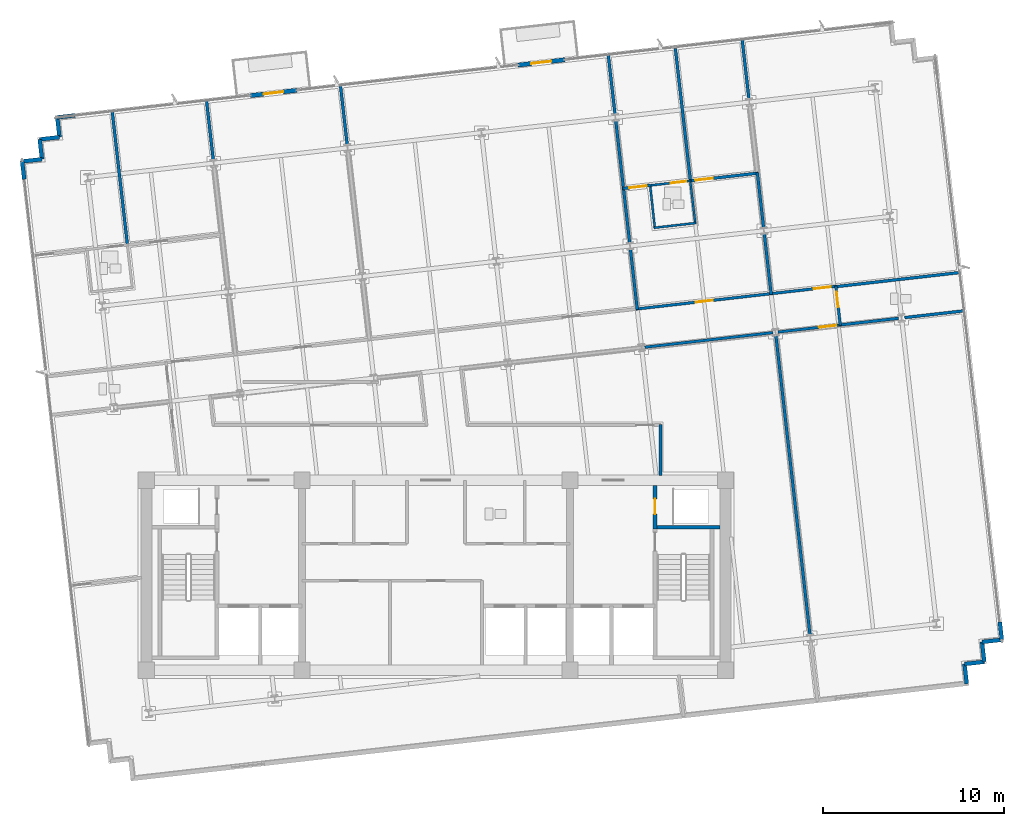
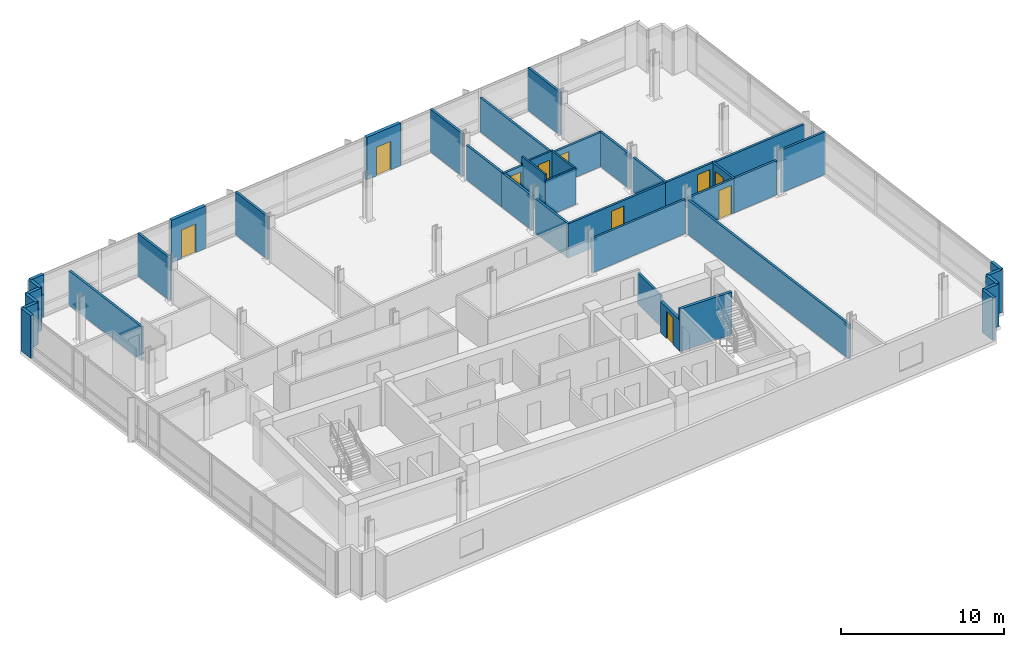
# One storey, part 10 of 15: 42 walls, 10 doors, 10 openings.
"""IFC4 building model written with IfcOpenShell, lengths in metres."""

from ifc_helpers import new_model, si_unit, direction, frame, frame_2d, origin, place, context, subcontext, project, spatial, rectangle, extrude, material, layer, layer_set, type_object, element, fill, save


model = new_model("IFC4")

# Units and contexts
model_context = context("Model", 3, precision=1e-05, world=origin(), true_north=direction((0.0, 1.0)))
body_context = subcontext(model_context, "Body", "Model", "MODEL_VIEW")
ifc_project = project(units=[si_unit("LENGTHUNIT", "METRE"), si_unit("AREAUNIT", "SQUARE_METRE"), si_unit("VOLUMEUNIT", "CUBIC_METRE"), si_unit("PLANEANGLEUNIT", "RADIAN"), si_unit("MASSUNIT", "GRAM", prefix="KILO")], contexts=[model_context])

# Site, building, storey
site_placement = place(None, origin())
site = spatial("IfcSite", under=ifc_project, at=site_placement, CompositionType="ELEMENT")
building_placement = place(site_placement, origin())
building = spatial("IfcBuilding", under=site, at=building_placement, Name="Solmavex Isthmus Hotel", CompositionType="ELEMENT")
storey_placement = place(building_placement, frame((0.0, 0.0, 226.199951171875)))
storey = spatial("IfcBuildingStorey", under=building, at=storey_placement, Name="L61", CompositionType="ELEMENT", Elevation=226.199951171875)

# Wall, opening, door
ifc_material_1 = material(Name="Precast Concrete C40/50", Category="concrete")
ifc_layer_1 = layer(ifc_material_1, 0.25)
ifc_layer_set_1 = layer_set([ifc_layer_1], Name="Precast Concrete C40/50")
wall_type_1 = type_object("IfcWallType", Name="EW-TWR-250", PredefinedType="STANDARD", material=ifc_layer_set_1)
wall_1_placement = place(storey_placement, frame((-10.26953125, 18.750244140625, 0.0), z_axis=(0.0, 0.0, 1.0), x_axis=(0.993567130319, 0.113244680008, 0.0)))
wall_1 = element("IfcWall", 1, at=wall_1_placement, inside=storey, type_object=wall_type_1, Name="Exterior Balcony Door Wall L61-2", PredefinedType="STANDARD", context=body_context, shape_type="SweptSolid", body=[
    extrude(rectangle(XDim=2.60009765625, YDim=0.239990234375, at=frame_2d((1.300048828125, 0.0))), origin(), (0.0, 0.0, 1.0), 3.18994140625),
])
opening_1_placement = place(wall_1_placement, frame((0.75, 0.0, 0.0)))
opening_1 = element("IfcOpeningElement", 2, at=opening_1_placement, cuts=wall_1, Name="Opening ED-02", PredefinedType="OPENING", context=body_context, shape_type="SweptSolid", body=[
    extrude(rectangle(XDim=1.10009765625, YDim=2.14990234375, at=frame_2d((0.550048828125, 1.074951171875))), frame((0.0, 0.1298828125, 0.0), z_axis=(0.0, -1.0, 0.0), x_axis=(1.0, 0.0, 0.0)), (0.0, 0.0, 1.0), 0.260009765625),
])
ifc_material_2 = material(Name="Aluminium alloy 6063-T6", Category="aluminium")
door_type_1 = type_object("IfcDoorType", Name="EDR-BALC-1100", OperationType="NOTDEFINED", PredefinedType="DOOR", material=ifc_material_2)
door_1_placement = place(opening_1_placement, origin())
door_1 = element("IfcDoor", 3, at=door_1_placement, inside=storey, type_object=door_type_1, Name="Balcony & Terrace Glazed Door L61-2", OperationType="SINGLE_SWING_RIGHT", OverallHeight=2.14990234375, OverallWidth=1.10009765625, PredefinedType="DOOR", context=body_context, shape_type="SweptSolid", body=[
    extrude(rectangle(XDim=1.10009765625, YDim=2.14990234375, at=frame_2d((0.550048828125, 1.074951171875))), frame((0.0, 0.02490234375, 0.0), z_axis=(0.0, -1.0, 0.0), x_axis=(1.0, 0.0, 0.0)), (0.0, 0.0, 1.0), 0.050048828125),
])
fill(opening_1, door_1)

wall_2_placement = place(storey_placement, frame((4.52685546875, 20.43603515625, 0.0), z_axis=(0.0, 0.0, 1.0), x_axis=(0.993567130319, 0.113244680008, 0.0)))
wall_2 = element("IfcWall", 4, at=wall_2_placement, inside=storey, type_object=wall_type_1, Name="Exterior Balcony Door Wall L61-3", PredefinedType="STANDARD", context=body_context, shape_type="SweptSolid", body=[
    extrude(rectangle(XDim=2.60009765625, YDim=0.239990234375, at=frame_2d((1.300048828125, 0.0))), origin(), (0.0, 0.0, 1.0), 3.18994140625),
])
opening_2_placement = place(wall_2_placement, frame((0.75, 0.0, 0.0)))
opening_2 = element("IfcOpeningElement", 5, at=opening_2_placement, cuts=wall_2, Name="Opening ED-02", PredefinedType="OPENING", context=body_context, shape_type="SweptSolid", body=[
    extrude(rectangle(XDim=1.10009765625, YDim=2.14990234375, at=frame_2d((0.550048828125, 1.074951171875))), frame((0.0, 0.1298828125, 0.0), z_axis=(0.0, -1.0, 0.0), x_axis=(1.0, 0.0, 0.0)), (0.0, 0.0, 1.0), 0.260009765625),
])
door_2_placement = place(opening_2_placement, origin())
door_2 = element("IfcDoor", 6, at=door_2_placement, inside=storey, type_object=door_type_1, Name="Balcony & Terrace Glazed Door L61-3", OperationType="SINGLE_SWING_LEFT", OverallHeight=2.14990234375, OverallWidth=1.10009765625, PredefinedType="DOOR", context=body_context, shape_type="SweptSolid", body=[
    extrude(rectangle(XDim=1.10009765625, YDim=2.14990234375, at=frame_2d((0.550048828125, 1.074951171875))), frame((0.0, 0.02490234375, 0.0), z_axis=(0.0, -1.0, 0.0), x_axis=(1.0, 0.0, 0.0)), (0.0, 0.0, 1.0), 0.050048828125),
])
fill(opening_2, door_2)

# Walls
wall_3_placement = place(storey_placement, frame((-22.74755859375, 14.128173828125, 0.0), z_axis=(0.0, 0.0, 1.0), x_axis=(-0.113191877531, 0.993573147212, 0.0)))
element("IfcWall", 7, at=wall_3_placement, inside=storey, type_object=wall_type_1, Name="Serrated Corner Facade Panel L61-07", PredefinedType="STANDARD", context=body_context, shape_type="SweptSolid", body=[
    extrude(rectangle(XDim=0.989990234375, YDim=0.219970703125, at=frame_2d((0.4951171875, 0.0))), origin(), (0.0, 0.0, 1.0), 3.18994140625),
])
wall_4_placement = place(storey_placement, frame((-22.859619140625, 15.11181640625, 0.0), z_axis=(0.0, 0.0, 1.0), x_axis=(0.99357409499, 0.113183557839, 0.0)))
element("IfcWall", 8, at=wall_4_placement, inside=storey, type_object=wall_type_1, Name="Serrated Corner Facade Panel L61-08", PredefinedType="STANDARD", context=body_context, shape_type="SweptSolid", body=[
    extrude(rectangle(XDim=1.10009765625, YDim=0.219970703125, at=frame_2d((0.550048828125, 0.0))), origin(), (0.0, 0.0, 1.0), 3.18994140625),
])
wall_5_placement = place(storey_placement, frame((-21.7666015625, 15.236328125, 0.0), z_axis=(0.0, 0.0, 1.0), x_axis=(-0.11320852056, 0.99357125103, 0.0)))
element("IfcWall", 9, at=wall_5_placement, inside=storey, type_object=wall_type_1, Name="Serrated Corner Facade Panel L61-09", PredefinedType="STANDARD", context=body_context, shape_type="SweptSolid", body=[
    extrude(rectangle(XDim=1.099853515625, YDim=0.219970703125, at=frame_2d((0.5498046875, 0.0))), origin(), (0.0, 0.0, 1.0), 3.18994140625),
])
for number, where, z_axis, x_axis, name in (
    (10, (-21.89111328125, 16.3291015625, 0.0), (0.0, 0.0, 1.0), (0.99357409499, 0.113183557839, 0.0), "Serrated Corner Facade Panel L61-10"),
    (11, (-20.798095703125, 16.45361328125, 0.0), (0.0, 0.0, 1.0), (-0.113402635104, 0.993549114212, 0.0), "Serrated Corner Facade Panel L61-11"),
):
    element("IfcWall", number, at=place(storey_placement, frame(where, z_axis=z_axis, x_axis=x_axis)), inside=storey, type_object=wall_type_1, Name=name, PredefinedType="STANDARD", context=body_context, shape_type="SweptSolid", body=[
        extrude(rectangle(XDim=1.10009765625, YDim=0.219970703125, at=frame_2d((0.550048828125, 0.0))), origin(), (0.0, 0.0, 1.0), 3.18994140625),
    ])
for number, where, z_axis, x_axis, name in (
    (12, (-20.9228515625, 17.546630859375, 0.0), (0.0, 0.0, 1.0), (0.993573147212, 0.113191877531, 0.0), "Serrated Corner Facade Panel L61-12"),
    (13, (31.1474609375, -10.328125, 0.0), (0.0, 0.0, 1.0), (0.113191877531, -0.993573147212, 0.0), "Serrated Corner Facade Panel L61-21"),
):
    element("IfcWall", number, at=place(storey_placement, frame(where, z_axis=z_axis, x_axis=x_axis)), inside=storey, type_object=wall_type_1, Name=name, PredefinedType="STANDARD", context=body_context, shape_type="SweptSolid", body=[
        extrude(rectangle(XDim=0.989990234375, YDim=0.219970703125, at=frame_2d((0.4951171875, 0.0))), origin(), (0.0, 0.0, 1.0), 3.18994140625),
    ])
wall_6_placement = place(storey_placement, frame((31.259521484375, -11.311767578125, 0.0), z_axis=(0.0, 0.0, 1.0), x_axis=(-0.99357409499, -0.113183557839, 0.0)))
element("IfcWall", 14, at=wall_6_placement, inside=storey, type_object=wall_type_1, Name="Serrated Corner Facade Panel L61-22", PredefinedType="STANDARD", context=body_context, shape_type="SweptSolid", body=[
    extrude(rectangle(XDim=1.10009765625, YDim=0.219970703125, at=frame_2d((0.550048828125, 0.0))), origin(), (0.0, 0.0, 1.0), 3.18994140625),
])
wall_7_placement = place(storey_placement, frame((30.16650390625, -11.436279296875, 0.0), z_axis=(0.0, 0.0, 1.0), x_axis=(0.113427644885, -0.993546259303, 0.0)))
element("IfcWall", 15, at=wall_7_placement, inside=storey, type_object=wall_type_1, Name="Serrated Corner Facade Panel L61-23", PredefinedType="STANDARD", context=body_context, shape_type="SweptSolid", body=[
    extrude(rectangle(XDim=1.099853515625, YDim=0.219970703125, at=frame_2d((0.5498046875, 0.0))), origin(), (0.0, 0.0, 1.0), 3.18994140625),
])
for number, where, z_axis, x_axis, name in (
    (16, (30.291259765625, -12.529052734375, 0.0), (0.0, 0.0, 1.0), (-0.99357409499, -0.113183557839, 0.0), "Serrated Corner Facade Panel L61-24"),
    (17, (29.1982421875, -12.653564453125, 0.0), (0.0, 0.0, 1.0), (0.113183557839, -0.99357409499, 0.0), "Serrated Corner Facade Panel L61-25"),
):
    element("IfcWall", number, at=place(storey_placement, frame(where, z_axis=z_axis, x_axis=x_axis)), inside=storey, type_object=wall_type_1, Name=name, PredefinedType="STANDARD", context=body_context, shape_type="SweptSolid", body=[
        extrude(rectangle(XDim=1.10009765625, YDim=0.219970703125, at=frame_2d((0.550048828125, 0.0))), origin(), (0.0, 0.0, 1.0), 3.18994140625),
    ])
ifc_material_3 = material(Name="Gypsum plasterboard lining", Category="gypsum")
ifc_layer_2 = layer(ifc_material_3, 0.159912109375)
ifc_layer_set_2 = layer_set([ifc_layer_2], Name="Gypsum plasterboard lining")
wall_type_2 = type_object("IfcWallType", Name="IW-COMP-160", PredefinedType="PARTITIONING", material=ifc_layer_set_2)
wall_8_placement = place(storey_placement, frame((-17.891845703125, 17.922119140625, 0.0), z_axis=(0.0, 0.0, 1.0), x_axis=(0.113231271668, -0.993568658481, 0.0)))
element("IfcWall", 18, at=wall_8_placement, inside=storey, type_object=wall_type_2, Name="Interior Partition Wall W-L61-P030", PredefinedType="PARTITIONING", context=body_context, shape_type="SweptSolid", body=[
    extrude(rectangle(XDim=7.511962890625, YDim=0.159912109375, at=frame_2d((3.755859375, 0.0))), origin(), (0.0, 0.0, 1.0), 2.5576171875),
])
wall_9_placement = place(storey_placement, frame((-12.681396484375, 18.515869140625, 0.0), z_axis=(0.0, 0.0, 1.0), x_axis=(0.113171804991, -0.993575433752, 0.0)))
element("IfcWall", 19, at=wall_9_placement, inside=storey, type_object=wall_type_2, Name="Interior Partition Wall W-L61-P032", PredefinedType="PARTITIONING", context=body_context, shape_type="SweptSolid", body=[
    extrude(rectangle(XDim=3.34375, YDim=0.159912109375, at=frame_2d((1.671875, 0.0))), origin(), (0.0, 0.0, 1.0), 3.18994140625),
])
wall_10_placement = place(storey_placement, frame((-5.283447265625, 19.358642578125, 0.0), z_axis=(0.0, 0.0, 1.0), x_axis=(0.113252098743, -0.993566284719, 0.0)))
element("IfcWall", 20, at=wall_10_placement, inside=storey, type_object=wall_type_2, Name="Interior Partition Wall W-L61-P034", PredefinedType="PARTITIONING", context=body_context, shape_type="SweptSolid", body=[
    extrude(rectangle(XDim=3.343505859375, YDim=0.159912109375, at=frame_2d((1.671875, 0.0))), origin(), (0.0, 0.0, 1.0), 3.18994140625),
])
wall_11_placement = place(storey_placement, frame((10.349609375, 13.701904296875, 0.0), z_axis=(0.0, 0.0, 1.0), x_axis=(0.11320956091, -0.993571132491, 0.0)))
element("IfcWall", 21, at=wall_11_placement, inside=storey, type_object=wall_type_2, Name="Interior Partition Wall W-L61-P037", PredefinedType="PARTITIONING", context=body_context, shape_type="SweptSolid", body=[
    extrude(rectangle(XDim=3.10546875, YDim=0.159912109375, at=frame_2d((1.552734375, 0.0))), origin(), (0.0, 0.0, 1.0), 2.572265625),
])
wall_12_placement = place(storey_placement, frame((10.740966796875, 10.265869140625, 0.0), z_axis=(0.0, 0.0, 1.0), x_axis=(0.113220917918, -0.993569838384, 0.0)))
element("IfcWall", 22, at=wall_12_placement, inside=storey, type_object=wall_type_2, Name="Interior Partition Wall W-L61-P038", PredefinedType="PARTITIONING", context=body_context, shape_type="SweptSolid", body=[
    extrude(rectangle(XDim=3.36181640625, YDim=0.159912109375, at=frame_2d((1.680908203125, 0.0))), origin(), (0.0, 0.0, 1.0), 2.572265625),
])
wall_13_placement = place(storey_placement, frame((9.512939453125, 21.04443359375, 0.0), z_axis=(0.0, 0.0, 1.0), x_axis=(0.113180015629, -0.993574498496, 0.0)))
element("IfcWall", 23, at=wall_13_placement, inside=storey, type_object=wall_type_2, Name="Interior Partition Wall W-L61-P039", PredefinedType="PARTITIONING", context=body_context, shape_type="SweptSolid", body=[
    extrude(rectangle(XDim=3.343505859375, YDim=0.159912109375, at=frame_2d((1.671875, 0.0))), origin(), (0.0, 0.0, 1.0), 3.18994140625),
])
wall_14_placement = place(storey_placement, frame((9.931396484375, 17.371826171875, 0.0), z_axis=(0.0, 0.0, 1.0), x_axis=(0.11322351182, -0.993569542796, 0.0)))
element("IfcWall", 24, at=wall_14_placement, inside=storey, type_object=wall_type_2, Name="Interior Partition Wall W-L61-P040", PredefinedType="PARTITIONING", context=body_context, shape_type="SweptSolid", body=[
    extrude(rectangle(XDim=3.857666015625, YDim=0.159912109375, at=frame_2d((1.9287109375, 0.0))), origin(), (0.0, 0.0, 1.0), 2.572265625),
])

# Wall, opening, door
wall_15_placement = place(storey_placement, frame((10.319091796875, 13.615966796875, 0.0), z_axis=(0.0, 0.0, 1.0), x_axis=(0.993567364513, 0.113242625259, 0.0)))
wall_15 = element("IfcWall", 25, at=wall_15_placement, inside=storey, type_object=wall_type_2, Name="Interior Partition Wall W-L61-P041", PredefinedType="PARTITIONING", context=body_context, shape_type="SweptSolid", body=[
    extrude(rectangle(XDim=1.56298828125, YDim=0.159912109375, at=frame_2d((0.781494140625, 0.0))), origin(), (0.0, 0.0, 1.0), 2.572265625),
])
opening_3_placement = place(wall_15_placement, frame((0.368896484375, 0.0, 0.0)))
opening_3 = element("IfcOpeningElement", 26, at=opening_3_placement, cuts=wall_15, Name="Opening ID-C095", PredefinedType="OPENING", context=body_context, shape_type="SweptSolid", body=[
    extrude(rectangle(XDim=0.949951171875, YDim=2.14990234375, at=frame_2d((0.47509765625, 1.074951171875))), frame((0.0, 0.08984375, 0.0), z_axis=(0.0, -1.0, 0.0), x_axis=(1.0, 0.0, 0.0)), (0.0, 0.0, 1.0), 0.179931640625),
])
ifc_material_4 = material(Name="Hardwood timber", Category="wood")
door_type_2 = type_object("IfcDoorType", Name="IDR-FD60-0950", OperationType="NOTDEFINED", PredefinedType="DOOR", material=ifc_material_4)
door_3_placement = place(opening_3_placement, origin())
door_3 = element("IfcDoor", 27, at=door_3_placement, inside=storey, type_object=door_type_2, Name="Diplomatic Hospitality Suite Bedroom Door L61-08", OperationType="SINGLE_SWING_RIGHT", OverallHeight=2.14990234375, OverallWidth=0.949951171875, PredefinedType="DOOR", context=body_context, shape_type="SweptSolid", body=[
    extrude(rectangle(XDim=0.949951171875, YDim=2.14990234375, at=frame_2d((0.47509765625, 1.074951171875))), frame((0.0, 0.02490234375, 0.0), z_axis=(0.0, -1.0, 0.0), x_axis=(1.0, 0.0, 0.0)), (0.0, 0.0, 1.0), 0.050048828125),
])
fill(opening_3, door_3)

wall_16_placement = place(storey_placement, frame((14.00830078125, 14.036376953125, 0.0), z_axis=(0.0, 0.0, 1.0), x_axis=(0.993571415155, 0.113207080105, 0.0)))
wall_16 = element("IfcWall", 28, at=wall_16_placement, inside=storey, type_object=wall_type_2, Name="Interior Partition Wall W-L61-P042", PredefinedType="PARTITIONING", context=body_context, shape_type="SweptSolid", body=[
    extrude(rectangle(XDim=3.812744140625, YDim=0.159912109375, at=frame_2d((1.90625, 0.0))), origin(), (0.0, 0.0, 1.0), 2.572265625),
])
opening_4_placement = place(wall_16_placement, frame((0.333984375, 0.0, 0.0)))
opening_4 = element("IfcOpeningElement", 29, at=opening_4_placement, cuts=wall_16, Name="Opening ID-C095", PredefinedType="OPENING", context=body_context, shape_type="SweptSolid", body=[
    extrude(rectangle(XDim=0.949951171875, YDim=2.14990234375, at=frame_2d((0.47509765625, 1.074951171875))), frame((0.0, 0.08984375, 0.0), z_axis=(0.0, -1.0, 0.0), x_axis=(1.0, 0.0, 0.0)), (0.0, 0.0, 1.0), 0.179931640625),
])
door_4_placement = place(opening_4_placement, origin())
door_4 = element("IfcDoor", 30, at=door_4_placement, inside=storey, type_object=door_type_2, Name="Diplomatic Hospitality Suite Sitting Lounge Door L61-09", OperationType="SINGLE_SWING_LEFT", OverallHeight=2.14990234375, OverallWidth=0.949951171875, PredefinedType="DOOR", context=body_context, shape_type="SweptSolid", body=[
    extrude(rectangle(XDim=0.949951171875, YDim=2.14990234375, at=frame_2d((0.47509765625, 1.074951171875))), frame((0.0, 0.02490234375, 0.0), z_axis=(0.0, -1.0, 0.0), x_axis=(1.0, 0.0, 0.0)), (0.0, 0.0, 1.0), 0.050048828125),
])
fill(opening_4, door_4)

# Walls
wall_17_placement = place(storey_placement, frame((17.75244140625, 14.503173828125, 0.0), z_axis=(0.0, 0.0, 1.0), x_axis=(0.113160011497, -0.993576777002, 0.0)))
element("IfcWall", 31, at=wall_17_placement, inside=storey, type_object=wall_type_2, Name="Interior Partition Wall W-L61-P046", PredefinedType="PARTITIONING", context=body_context, shape_type="SweptSolid", body=[
    extrude(rectangle(XDim=3.063720703125, YDim=0.159912109375, at=frame_2d((1.53173828125, 0.0))), origin(), (0.0, 0.0, 1.0), 2.572265625),
])
wall_18_placement = place(storey_placement, frame((18.13916015625, 11.108642578125, 0.0), z_axis=(0.0, 0.0, 1.0), x_axis=(0.113229088195, -0.993568907317, 0.0)))
element("IfcWall", 32, at=wall_18_placement, inside=storey, type_object=wall_type_2, Name="Interior Partition Wall W-L61-P047", PredefinedType="PARTITIONING", context=body_context, shape_type="SweptSolid", body=[
    extrude(rectangle(XDim=3.361572265625, YDim=0.159912109375, at=frame_2d((1.6806640625, 0.0))), origin(), (0.0, 0.0, 1.0), 2.572265625),
])
wall_19_placement = place(storey_placement, frame((13.2255859375, 21.3466796875, 0.0), z_axis=(0.0, 0.0, 1.0), x_axis=(0.113218703946, -0.993570090671, 0.0)))
element("IfcWall", 33, at=wall_19_placement, inside=storey, type_object=wall_type_2, Name="Interior Partition Wall W-L61-P048", PredefinedType="PARTITIONING", context=body_context, shape_type="SweptSolid", body=[
    extrude(rectangle(XDim=7.39208984375, YDim=0.159912109375, at=frame_2d((3.696044921875, 0.0))), origin(), (0.0, 0.0, 1.0), 2.5576171875),
])
wall_20_placement = place(storey_placement, frame((16.9111328125, 21.887451171875, 0.0), z_axis=(0.0, 0.0, 1.0), x_axis=(0.113171804991, -0.993575433752, 0.0)))
element("IfcWall", 34, at=wall_20_placement, inside=storey, type_object=wall_type_2, Name="Interior Partition Wall W-L61-P050", PredefinedType="PARTITIONING", context=body_context, shape_type="SweptSolid", body=[
    extrude(rectangle(XDim=3.34375, YDim=0.159912109375, at=frame_2d((1.671875, 0.0))), origin(), (0.0, 0.0, 1.0), 3.18994140625),
])
wall_21_placement = place(storey_placement, frame((28.977783203125, 8.98046875, 0.0), z_axis=(0.0, 0.0, 1.0), x_axis=(-0.993571800428, -0.113203698681, 0.0)))
element("IfcWall", 35, at=wall_21_placement, inside=storey, type_object=wall_type_2, Name="Interior Partition Wall W-L61-P052", PredefinedType="PARTITIONING", context=body_context, shape_type="SweptSolid", body=[
    extrude(rectangle(XDim=6.968017578125, YDim=0.159912109375, at=frame_2d((3.48388671875, 0.0))), origin(), (0.0, 0.0, 1.0), 2.5576171875),
])
wall_22_placement = place(storey_placement, frame((25.546142578125, 6.44580078125, 0.0), z_axis=(0.0, 0.0, 1.0), x_axis=(-0.993568592225, -0.113231853041, 0.0)))
element("IfcWall", 36, at=wall_22_placement, inside=storey, type_object=wall_type_2, Name="Interior Partition Wall W-L61-P055", PredefinedType="PARTITIONING", context=body_context, shape_type="SweptSolid", body=[
    extrude(rectangle(XDim=3.281494140625, YDim=0.159912109375, at=frame_2d((1.640625, 0.0))), origin(), (0.0, 0.0, 1.0), 2.572265625),
])
wall_23_placement = place(storey_placement, frame((29.21875, 6.864013671875, 0.0), z_axis=(0.0, 0.0, 1.0), x_axis=(-0.993574498496, -0.113180015629, 0.0)))
element("IfcWall", 37, at=wall_23_placement, inside=storey, type_object=wall_type_2, Name="Interior Partition Wall W-L61-P056", PredefinedType="PARTITIONING", context=body_context, shape_type="SweptSolid", body=[
    extrude(rectangle(XDim=3.343505859375, YDim=0.159912109375, at=frame_2d((1.671875, 0.0))), origin(), (0.0, 0.0, 1.0), 3.18994140625),
])
wall_24_placement = place(storey_placement, frame((18.778564453125, 5.4970703125, 0.0), z_axis=(0.0, 0.0, 1.0), x_axis=(0.113202873157, -0.993571894484, 0.0)))
element("IfcWall", 38, at=wall_24_placement, inside=storey, type_object=wall_type_2, Name="Interior Partition Wall W-L61-P059", PredefinedType="PARTITIONING", context=body_context, shape_type="SweptSolid", body=[
    extrude(rectangle(XDim=16.647216796875, YDim=0.159912109375, at=frame_2d((8.32373046875, 0.0))), origin(), (0.0, 0.0, 1.0), 2.572265625),
])

# Wall, opening, door
ifc_layer_3 = layer(ifc_material_3, 0.14990234375)
ifc_layer_set_3 = layer_set([ifc_layer_3], Name="Gypsum plasterboard lining")
wall_type_3 = type_object("IfcWallType", Name="IW-CORR-150", PredefinedType="PARTITIONING", material=ifc_layer_set_3)
wall_25_placement = place(storey_placement, frame((11.03564453125, 6.956298828125, 0.0), z_axis=(0.0, 0.0, 1.0), x_axis=(0.993570360949, 0.113216332056, 0.0)))
wall_25 = element("IfcWall", 39, at=wall_25_placement, inside=storey, type_object=wall_type_3, Name="Interior Partition Wall W-L61-P004", PredefinedType="PARTITIONING", context=body_context, shape_type="SweptSolid", body=[
    extrude(rectangle(XDim=7.60986328125, YDim=0.14990234375, at=frame_2d((3.804931640625, 0.0))), origin(), (0.0, 0.0, 1.0), 2.572265625),
])
opening_5_placement = place(wall_25_placement, frame((3.330078125, 0.0, 0.0)))
opening_5 = element("IfcOpeningElement", 40, at=opening_5_placement, cuts=wall_25, Name="Opening ID-C095", PredefinedType="OPENING", context=body_context, shape_type="SweptSolid", body=[
    extrude(rectangle(XDim=0.949951171875, YDim=2.14990234375, at=frame_2d((0.47509765625, 1.074951171875))), frame((0.0, 0.0849609375, 0.0), z_axis=(0.0, -1.0, 0.0), x_axis=(1.0, 0.0, 0.0)), (0.0, 0.0, 1.0), 0.169921875),
])
door_5_placement = place(opening_5_placement, origin())
door_5 = element("IfcDoor", 41, at=door_5_placement, inside=storey, type_object=door_type_2, Name="Diplomatic Hospitality Suite Reception Foyer Door L61-07", OperationType="SINGLE_SWING_LEFT", OverallHeight=2.14990234375, OverallWidth=0.949951171875, PredefinedType="DOOR", context=body_context, shape_type="SweptSolid", body=[
    extrude(rectangle(XDim=0.949951171875, YDim=2.14990234375, at=frame_2d((0.47509765625, 1.074951171875))), frame((0.0, 0.02490234375, 0.0), z_axis=(0.0, -1.0, 0.0), x_axis=(1.0, 0.0, 0.0)), (0.0, 0.0, 1.0), 0.050048828125),
])
fill(opening_5, door_5)

wall_26_placement = place(storey_placement, frame((18.43359375, 7.79931640625, 0.0), z_axis=(0.0, 0.0, 1.0), x_axis=(0.993578468541, 0.11314515832, 0.0)))
wall_26 = element("IfcWall", 42, at=wall_26_placement, inside=storey, type_object=wall_type_3, Name="Interior Partition Wall W-L61-P005", PredefinedType="PARTITIONING", context=body_context, shape_type="SweptSolid", body=[
    extrude(rectangle(XDim=3.72216796875, YDim=0.14990234375, at=frame_2d((1.861083984375, 0.0))), origin(), (0.0, 0.0, 1.0), 2.572265625),
])
opening_6_placement = place(wall_26_placement, frame((2.456787109375, 0.0, 0.0)))
opening_6 = element("IfcOpeningElement", 43, at=opening_6_placement, cuts=wall_26, Name="Opening ID-C095", PredefinedType="OPENING", context=body_context, shape_type="SweptSolid", body=[
    extrude(rectangle(XDim=0.949951171875, YDim=2.14990234375, at=frame_2d((0.47509765625, 1.074951171875))), frame((0.0, 0.0849609375, 0.0), z_axis=(0.0, -1.0, 0.0), x_axis=(1.0, 0.0, 0.0)), (0.0, 0.0, 1.0), 0.169921875),
])
door_6_placement = place(opening_6_placement, origin())
door_6 = element("IfcDoor", 44, at=door_6_placement, inside=storey, type_object=door_type_2, Name="Executive Hospitality Lounge Door L61-11", OperationType="SINGLE_SWING_LEFT", OverallHeight=2.14990234375, OverallWidth=0.949951171875, PredefinedType="DOOR", context=body_context, shape_type="SweptSolid", body=[
    extrude(rectangle(XDim=0.949951171875, YDim=2.14990234375, at=frame_2d((0.47509765625, 1.074951171875))), frame((0.0, 0.02490234375, 0.0), z_axis=(0.0, -1.0, 0.0), x_axis=(1.0, 0.0, 0.0)), (0.0, 0.0, 1.0), 0.050048828125),
])
fill(opening_6, door_6)

wall_27_placement = place(storey_placement, frame((22.08984375, 8.23583984375, 0.0), z_axis=(0.0, 0.0, 1.0), x_axis=(0.113122854389, -0.993581008179, 0.0)))
wall_27 = element("IfcWall", 45, at=wall_27_placement, inside=storey, type_object=wall_type_3, Name="Interior Partition Wall W-L61-P007", PredefinedType="PARTITIONING", context=body_context, shape_type="SweptSolid", body=[
    extrude(rectangle(XDim=2.2099609375, YDim=0.14990234375, at=frame_2d((1.10498046875, 0.0))), origin(), (0.0, 0.0, 1.0), 2.572265625),
])
opening_7_placement = place(wall_27_placement, frame((0.322265625, 0.0, 0.0)))
opening_7 = element("IfcOpeningElement", 46, at=opening_7_placement, cuts=wall_27, Name="Opening ID-R085", PredefinedType="OPENING", context=body_context, shape_type="SweptSolid", body=[
    extrude(rectangle(XDim=0.85009765625, YDim=2.050048828125, at=frame_2d((0.425048828125, 1.02490234375))), frame((0.0, 0.0849609375, 0.0), z_axis=(0.0, -1.0, 0.0), x_axis=(1.0, 0.0, 0.0)), (0.0, 0.0, 1.0), 0.169921875),
])
ifc_material_5 = material(Name="Steel ASTM A500 Grade C", Category="steel")
door_type_3 = type_object("IfcDoorType", Name="IDR-FD60-0850", OperationType="NOTDEFINED", PredefinedType="DOOR", material=ifc_material_5)
door_7_placement = place(opening_7_placement, frame((0.85009765625, 0.0, 0.0), z_axis=(0.0, 0.0, 1.0), x_axis=(-1.0, 0.0, 0.0)))
door_7 = element("IfcDoor", 47, at=door_7_placement, inside=storey, type_object=door_type_3, Name="Public Restroom WC Door L61-13", OperationType="SINGLE_SWING_LEFT", OverallHeight=2.050048828125, OverallWidth=0.85009765625, PredefinedType="DOOR", context=body_context, shape_type="SweptSolid", body=[
    extrude(rectangle(XDim=0.85009765625, YDim=2.050048828125, at=frame_2d((0.425048828125, 1.02490234375))), frame((0.0, 0.02490234375, 0.0), z_axis=(0.0, -1.0, 0.0), x_axis=(1.0, 0.0, 0.0)), (0.0, 0.0, 1.0), 0.050048828125),
])
fill(opening_7, door_7)

# Walls
wall_28_placement = place(storey_placement, frame((12.39990234375, 0.590087890625, 0.0), z_axis=(0.0, 0.0, 1.0), x_axis=(0.0, -1.0, 0.0)))
element("IfcWall", 48, at=wall_28_placement, inside=storey, type_object=wall_type_3, Name="Interior Partition Wall W-L61-P018", PredefinedType="PARTITIONING", context=body_context, shape_type="SweptSolid", body=[
    extrude(rectangle(XDim=2.830078125, YDim=0.14990234375, at=frame_2d((1.4150390625, 0.0))), origin(), (0.0, 0.0, 1.0), 2.324951171875),
])
wall_29_placement = place(storey_placement, frame((18.625, 5.6572265625, 0.0), z_axis=(0.0, 0.0, 1.0), x_axis=(-0.993569785772, -0.11322137961, 0.0)))
element("IfcWall", 49, at=wall_29_placement, inside=storey, type_object=wall_type_3, Name="Interior Partition Wall W-L61-P020", PredefinedType="PARTITIONING", context=body_context, shape_type="SweptSolid", body=[
    extrude(rectangle(XDim=7.13525390625, YDim=0.14990234375, at=frame_2d((3.567626953125, 0.0))), origin(), (0.0, 0.0, 1.0), 2.572265625),
])

# Wall, opening, door
wall_30_placement = place(storey_placement, frame((22.375244140625, 6.08447265625, 0.0), z_axis=(0.0, 0.0, 1.0), x_axis=(-0.993568982909, -0.113228424882, 0.0)))
wall_30 = element("IfcWall", 50, at=wall_30_placement, inside=storey, type_object=wall_type_3, Name="Interior Partition Wall W-L61-P021", PredefinedType="PARTITIONING", context=body_context, shape_type="SweptSolid", body=[
    extrude(rectangle(XDim=3.505859375, YDim=0.14990234375, at=frame_2d((1.7529296875, 0.0))), origin(), (0.0, 0.0, 1.0), 2.572265625),
])
opening_8_placement = place(wall_30_placement, frame((0.270751953125, 0.0, 0.0)))
opening_8 = element("IfcOpeningElement", 51, at=opening_8_placement, cuts=wall_30, Name="Opening ID-C095", PredefinedType="OPENING", context=body_context, shape_type="SweptSolid", body=[
    extrude(rectangle(XDim=0.949951171875, YDim=2.14990234375, at=frame_2d((0.47509765625, 1.074951171875))), frame((0.0, 0.0849609375, 0.0), z_axis=(0.0, -1.0, 0.0), x_axis=(1.0, 0.0, 0.0)), (0.0, 0.0, 1.0), 0.169921875),
])
door_8_placement = place(opening_8_placement, origin())
door_8 = element("IfcDoor", 52, at=door_8_placement, inside=storey, type_object=door_type_2, Name="Corporate Briefing Office Door L61-18", OperationType="SINGLE_SWING_RIGHT", OverallHeight=2.14990234375, OverallWidth=0.949951171875, PredefinedType="DOOR", context=body_context, shape_type="SweptSolid", body=[
    extrude(rectangle(XDim=0.949951171875, YDim=2.14990234375, at=frame_2d((0.47509765625, 1.074951171875))), frame((0.0, 0.02490234375, 0.0), z_axis=(0.0, -1.0, 0.0), x_axis=(1.0, 0.0, 0.0)), (0.0, 0.0, 1.0), 0.050048828125),
])
fill(opening_8, door_8)

# Walls
ifc_layer_4 = layer(ifc_material_3, 0.1201171875)
ifc_layer_set_4 = layer_set([ifc_layer_4], Name="Gypsum plasterboard lining")
wall_type_4 = type_object("IfcWallType", Name="IW-PART-120", PredefinedType="PARTITIONING", material=ifc_layer_set_4)
wall_31_placement = place(storey_placement, frame((11.827880859375, 13.828125, 0.0), z_axis=(0.0, 0.0, 1.0), x_axis=(0.10900891826, -0.994040771669, 0.0)))
element("IfcWall", 53, at=wall_31_placement, inside=storey, type_object=wall_type_4, Name="Interior Partition Wall W-L61-P043", PredefinedType="PARTITIONING", context=body_context, shape_type="SweptSolid", body=[
    extrude(rectangle(XDim=2.429931640625, YDim=0.1201171875, at=frame_2d((1.21484375, 0.0))), origin(), (0.0, 0.0, 1.0), 3.18994140625),
])
wall_32_placement = place(storey_placement, frame((12.048583984375, 11.44775390625, 0.0), z_axis=(0.0, 0.0, 1.0), x_axis=(0.993564044581, 0.113271749862, 0.0)))
element("IfcWall", 54, at=wall_32_placement, inside=storey, type_object=wall_type_4, Name="Interior Partition Wall W-L61-P044", PredefinedType="PARTITIONING", context=body_context, shape_type="SweptSolid", body=[
    extrude(rectangle(XDim=2.329833984375, YDim=0.1201171875, at=frame_2d((1.1650390625, 0.0))), origin(), (0.0, 0.0, 1.0), 2.71826171875),
])
wall_33_placement = place(storey_placement, frame((14.32861328125, 11.66748046875, 0.0), z_axis=(0.0, 0.0, 1.0), x_axis=(-0.117453323997, 0.993078404096, 0.0)))
element("IfcWall", 55, at=wall_33_placement, inside=storey, type_object=wall_type_4, Name="Interior Partition Wall W-L61-P045", PredefinedType="PARTITIONING", context=body_context, shape_type="SweptSolid", body=[
    extrude(rectangle(XDim=2.429931640625, YDim=0.1201171875, at=frame_2d((1.21484375, 0.0))), origin(), (0.0, 0.0, 1.0), 2.71826171875),
])

# Wall, opening, door
wall_34_placement = place(storey_placement, frame((14.09765625, 14.046630859375, 0.0), z_axis=(0.0, 0.0, 1.0), x_axis=(-0.993569776601, -0.113221460091, 0.0)))
wall_34 = element("IfcWall", 56, at=wall_34_placement, inside=storey, type_object=wall_type_4, Name="Interior Partition Wall W-L61-P049", PredefinedType="PARTITIONING", context=body_context, shape_type="SweptSolid", body=[
    extrude(rectangle(XDim=2.371826171875, YDim=0.1201171875, at=frame_2d((1.18603515625, 0.0))), origin(), (0.0, 0.0, 1.0), 2.71826171875),
])
opening_9_placement = place(wall_34_placement, frame((0.27978515625, 0.0, 0.0)))
opening_9 = element("IfcOpeningElement", 57, at=opening_9_placement, cuts=wall_34, Name="Opening ID-U085", PredefinedType="OPENING", context=body_context, shape_type="SweptSolid", body=[
    extrude(rectangle(XDim=0.85009765625, YDim=2.10009765625, at=frame_2d((0.425048828125, 1.050048828125))), frame((0.0, 0.070068359375, 0.0), z_axis=(0.0, -1.0, 0.0), x_axis=(1.0, 0.0, 0.0)), (0.0, 0.0, 1.0), 0.14013671875),
])
door_type_4 = type_object("IfcDoorType", Name="IDR-UNR-0850", OperationType="NOTDEFINED", PredefinedType="DOOR", material=ifc_material_4)
door_9_placement = place(opening_9_placement, frame((0.85009765625, 0.0, 0.0), z_axis=(0.0, 0.0, 1.0), x_axis=(-1.0, 0.0, 0.0)))
door_9 = element("IfcDoor", 58, at=door_9_placement, inside=storey, type_object=door_type_4, Name="En-suite Bathroom Door L61-10", OperationType="SINGLE_SWING_RIGHT", OverallHeight=2.10009765625, OverallWidth=0.85009765625, PredefinedType="DOOR", context=body_context, shape_type="SweptSolid", body=[
    extrude(rectangle(XDim=0.85009765625, YDim=2.10009765625, at=frame_2d((0.425048828125, 1.050048828125))), frame((0.0, 0.02490234375, 0.0), z_axis=(0.0, -1.0, 0.0), x_axis=(1.0, 0.0, 0.0)), (0.0, 0.0, 1.0), 0.050048828125),
])
fill(opening_9, door_9)

ifc_material_6 = material(Name="Concrete C40/50", Category="concrete")
ifc_layer_5 = layer(ifc_material_6, 0.199951171875)
ifc_layer_set_5 = layer_set([ifc_layer_5], Name="Concrete C40/50")
wall_type_5 = type_object("IfcWallType", Name="IW-SHAFT-200", PredefinedType="PARTITIONING", material=ifc_layer_set_5)
wall_35_placement = place(storey_placement, frame((12.10009765625, -5.199951171875, 0.0), z_axis=(0.0, 0.0, 1.0), x_axis=(0.0, 1.0, 0.0)))
wall_35 = element("IfcWall", 59, at=wall_35_placement, inside=storey, type_object=wall_type_5, Name="Interior Partition Wall W-L61-RSE-W", PredefinedType="PARTITIONING", context=body_context, shape_type="SweptSolid", body=[
    extrude(rectangle(XDim=2.39990234375, YDim=0.199951171875, at=frame_2d((1.199951171875, 0.0))), origin(), (0.0, 0.0, 1.0), 2.324951171875),
])
opening_10_placement = place(wall_35_placement, frame((0.824951171875, 0.0, 0.0)))
opening_10 = element("IfcOpeningElement", 60, at=opening_10_placement, cuts=wall_35, Name="Opening ID-R085", PredefinedType="OPENING", context=body_context, shape_type="SweptSolid", body=[
    extrude(rectangle(XDim=0.85009765625, YDim=2.050048828125, at=frame_2d((0.425048828125, 1.02490234375))), frame((0.0, 0.10986328125, 0.0), z_axis=(0.0, -1.0, 0.0), x_axis=(1.0, 0.0, 0.0)), (0.0, 0.0, 1.0), 0.219970703125),
])
door_10_placement = place(opening_10_placement, frame((0.85009765625, 0.0, 0.0), z_axis=(0.0, 0.0, 1.0), x_axis=(-1.0, 0.0, 0.0)))
door_10 = element("IfcDoor", 61, at=door_10_placement, inside=storey, type_object=door_type_3, Name="Mechanical Riser Door L61", OperationType="SINGLE_SWING_LEFT", OverallHeight=2.050048828125, OverallWidth=0.85009765625, PredefinedType="DOOR", context=body_context, shape_type="SweptSolid", body=[
    extrude(rectangle(XDim=0.85009765625, YDim=2.050048828125, at=frame_2d((0.425048828125, 1.02490234375))), frame((0.0, 0.02490234375, 0.0), z_axis=(0.0, -1.0, 0.0), x_axis=(1.0, 0.0, 0.0)), (0.0, 0.0, 1.0), 0.050048828125),
])
fill(opening_10, door_10)

# Wall
ifc_layer_6 = layer(ifc_material_6, 0.199951171875)
ifc_layer_set_6 = layer_set([ifc_layer_6], Name="Concrete C40/50")
wall_type_6 = type_object("IfcWallType", Name="WALL-SW-200", PredefinedType="SOLIDWALL", material=ifc_layer_set_6)
wall_36_placement = place(storey_placement, frame((12.0, -5.10009765625, 0.0), z_axis=(0.0, 0.0, 1.0), x_axis=(1.0, 0.0, 0.0)))
element("IfcWall", 62, at=wall_36_placement, inside=storey, type_object=wall_type_6, Name="Stairwell Structural Wall SW-L61-ST2-N", PredefinedType="SOLIDWALL", context=body_context, shape_type="SweptSolid", body=[
    extrude(rectangle(XDim=3.699951171875, YDim=0.199951171875, at=frame_2d((1.85009765625, 0.0))), origin(), (0.0, 0.0, 1.0), 3.18994140625),
])

save(model, "model.ifc")
